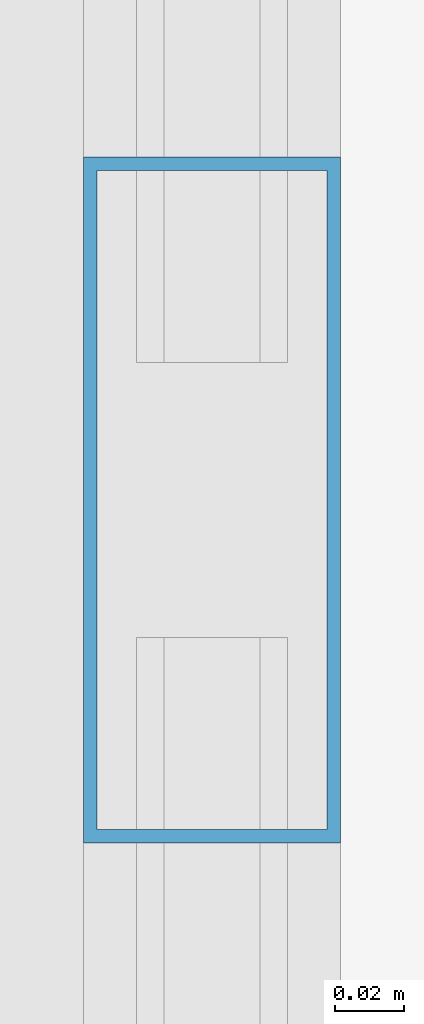
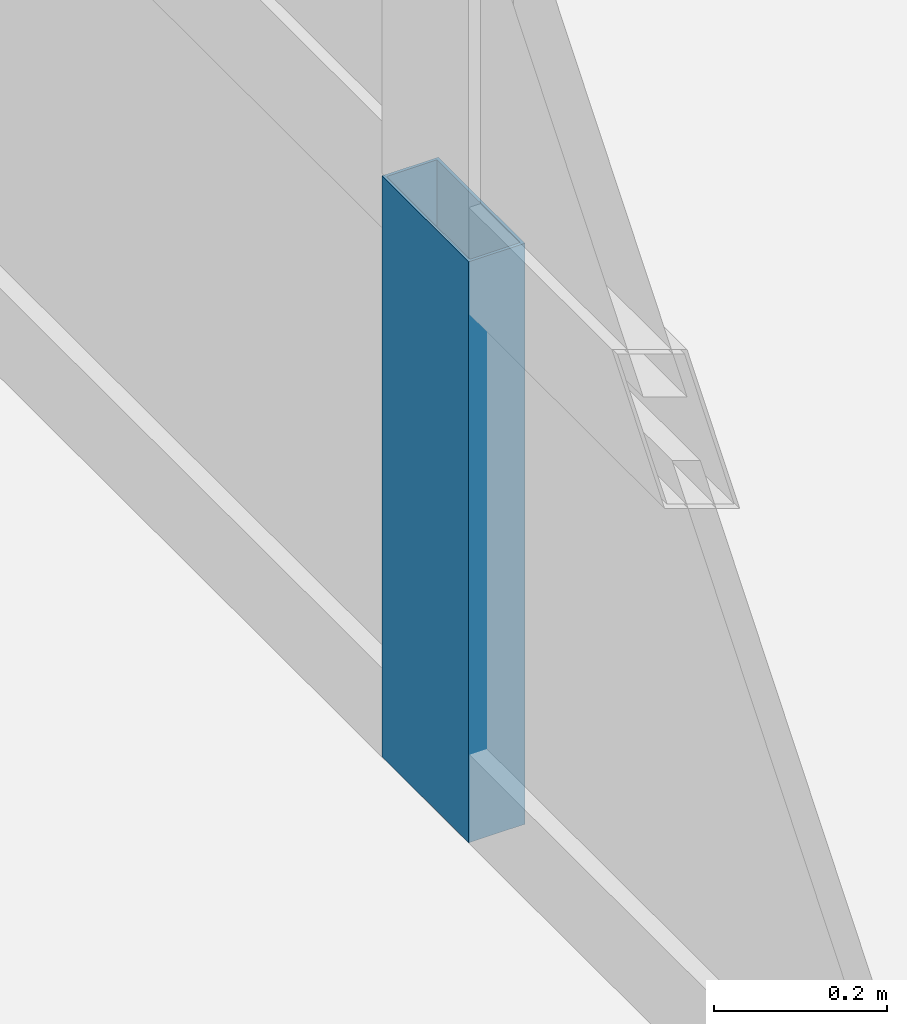
# One storey, part 22 of 34: 1 member, 1 element without a shape of its own.
"""IFC4 building model written with IfcOpenShell, lengths in metres."""

from ifc_helpers import new_model, si_unit, direction, frame, origin, origin_2d, place, context, subcontext, project, spatial, hollow_rectangle, extrude, source, transform, mapped, material, layer, layer_set, material_profile, profile_set, type_object, element, aggregate, save


model = new_model("IFC4")

# Units and contexts
model_context = context("Model", 3, precision=1e-05, world=origin(), true_north=direction((0.0, 1.0)))
body_context = subcontext(model_context, "Body", "Model", "MODEL_VIEW")
ifc_project = project(units=[si_unit("LENGTHUNIT", "METRE"), si_unit("AREAUNIT", "SQUARE_METRE"), si_unit("VOLUMEUNIT", "CUBIC_METRE"), si_unit("PLANEANGLEUNIT", "RADIAN"), si_unit("MASSUNIT", "GRAM", prefix="KILO"), si_unit("THERMODYNAMICTEMPERATUREUNIT", "KELVIN"), si_unit("POWERUNIT", "WATT")], contexts=[model_context])

# Site, building, storey
site_placement = place(None, origin())
site = spatial("IfcSite", under=ifc_project, at=site_placement, CompositionType="ELEMENT")
building_placement = place(site_placement, origin())
building = spatial("IfcBuilding", under=site, at=building_placement, Name="Yuzanri Waterfront Tower", CompositionType="ELEMENT")
storey_placement = place(building_placement, frame((0.0, 0.0, 339.199951171875)))
storey = spatial("IfcBuildingStorey", under=building, at=storey_placement, Name="L91", CompositionType="ELEMENT", Elevation=339.199951171875)

# Curtain wall, member
ifc_material_1 = material(Name="Anodized Architectural Bronze", Category="metal")
ifc_layer = layer(ifc_material_1, 0.159912109375)
ifc_layer_set = layer_set([ifc_layer], Name="Anodized Architectural Bronze")
curtain_wall_type = type_object("IfcCurtainWallType", Name="Anodized Bronze High-Rise Penthouse High-Wind Unitized Curtain Wall 6900", PredefinedType="NOTDEFINED", material=ifc_layer_set)
curtain_wall_placement = place(storey_placement, origin())
curtain_wall = element("IfcCurtainWall", 1, at=curtain_wall_placement, inside=storey, type_object=curtain_wall_type, Name="L91 Curtain Wall CW-L91-WL", PredefinedType="NOTDEFINED")
ifc_material_2 = material(Name="Anodized Architectural Bronze", Category="metal")
ifc_material_profile = material_profile(ifc_material_2, hollow_rectangle(XDim=0.074951171875, YDim=0.199951171875, WallThickness=0.00390625, at=origin_2d()), Name="CWM 75x200")
ifc_profile_set = profile_set([ifc_material_profile], Name="Anodized Architectural Bronze")
member_type = type_object("IfcMemberType", Name="Anodized Bronze Primary Curtain-Wall Mullion 75x200", PredefinedType="MULLION", material=ifc_profile_set)
shared_shape = source(origin(), body_context, "Body", "SweptSolid", [
    extrude(hollow_rectangle(XDim=0.074951171875, YDim=0.199951171875, WallThickness=0.00390625, at=origin_2d()), origin(), (0.0, 0.0, 1.0), 0.818115234375),
])
member_placement = place(storey_placement, frame((18.050048828125, 19.75, 0.0), z_axis=(0.0, 0.0, 1.0), x_axis=(1.0, 0.0, 0.0)))
member = element("IfcMember", 2, at=member_placement, type_object=member_type, Name="CW-L91-WL Lower Mullion 01", PredefinedType="MULLION", context=body_context, shape_type="MappedRepresentation", body=[
    mapped(shared_shape, transform((0.0, 0.0, 0.0), scale=1.0)),
])
aggregate(curtain_wall, [member])

save(model, "model.ifc")
